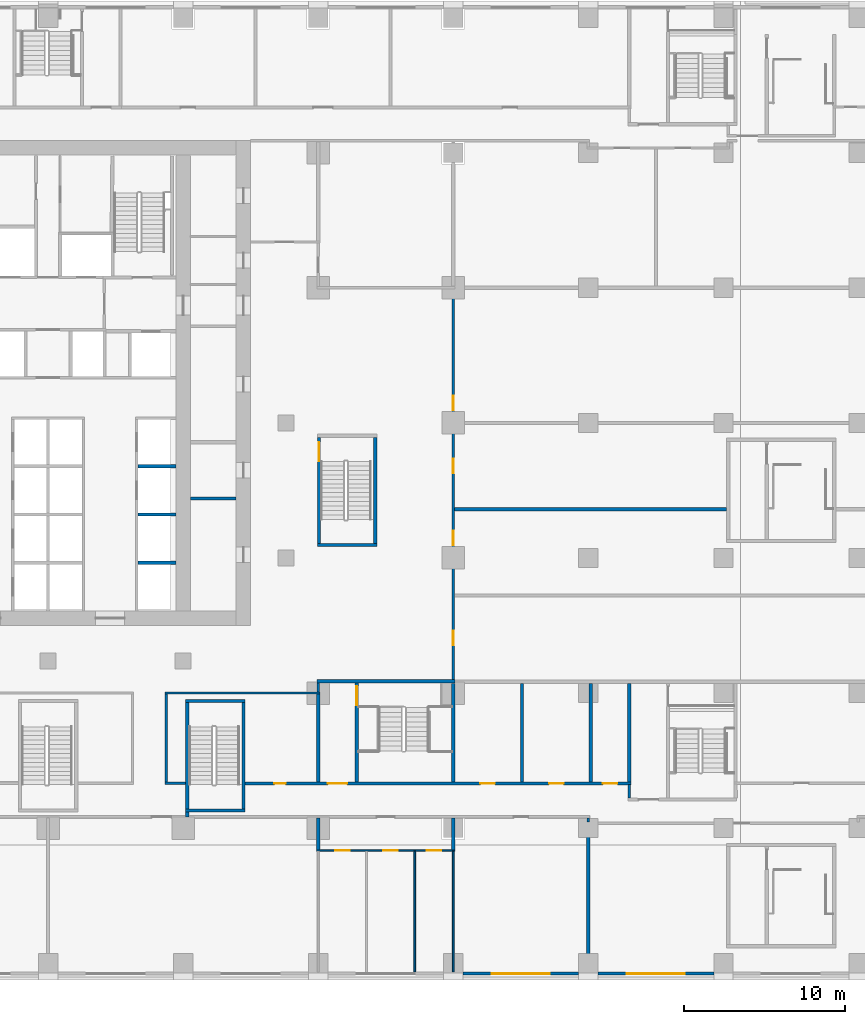
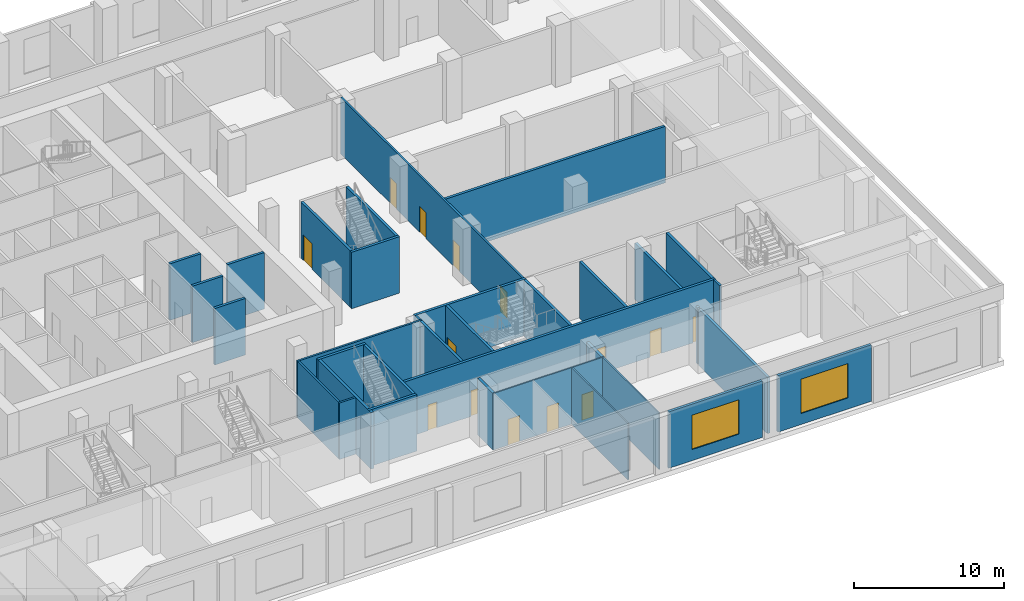
# One storey, part 6 of 23: 35 walls, 14 doors, 2 windows, 16 openings.
"""IFC4 building model written with IfcOpenShell, lengths in metres."""

from ifc_helpers import new_model, si_unit, direction, frame, frame_2d, origin, place, context, subcontext, project, spatial, rectangle, extrude, material, layer, layer_set, type_object, element, fill, save


model = new_model("IFC4")

# Units and contexts
model_context = context("Model", 3, precision=1e-05, world=origin(), true_north=direction((0.0, 1.0)))
body_context = subcontext(model_context, "Body", "Model", "MODEL_VIEW")
ifc_project = project(units=[si_unit("LENGTHUNIT", "METRE"), si_unit("AREAUNIT", "SQUARE_METRE"), si_unit("VOLUMEUNIT", "CUBIC_METRE"), si_unit("PLANEANGLEUNIT", "RADIAN"), si_unit("MASSUNIT", "GRAM", prefix="KILO")], contexts=[model_context])

# Site, building, storey
site_placement = place(None, origin())
site = spatial("IfcSite", under=ifc_project, at=site_placement, CompositionType="ELEMENT")
building_placement = place(site_placement, origin())
building = spatial("IfcBuilding", under=site, at=building_placement, Name="Vermilion Ogive Tower", CompositionType="ELEMENT")
storey_placement = place(building_placement, frame((0.0, 0.0, 20.0)))
storey = spatial("IfcBuildingStorey", under=building, at=storey_placement, Name="L03", CompositionType="ELEMENT", Elevation=20.0)

# Wall, openings, doors
ifc_material_1 = material(Name="Gypsum board partition on steel studs", Category="steel")
ifc_layer_1 = layer(ifc_material_1, 0.10009765625)
ifc_layer_set_1 = layer_set([ifc_layer_1], Name="Partition 100 bath")
wall_type_1 = type_object("IfcWallType", Name="Partition 100 bath", PredefinedType="PARTITIONING", material=ifc_layer_set_1)
wall_1_placement = place(storey_placement, frame((16.699951171875, -22.39990234375, 0.0), z_axis=(0.0, 0.0, 1.0), x_axis=(1.0, 0.0, 0.0)))
wall_1 = element("IfcWall", 1, at=wall_1_placement, inside=storey, type_object=wall_type_1, Name="L03-FS-W-W003", PredefinedType="PARTITIONING", context=body_context, shape_type="SweptSolid", body=[
    extrude(rectangle(XDim=8.60009765625, YDim=0.10009765625, at=frame_2d((4.300048828125, 0.0))), origin(), (0.0, 0.0, 1.0), 4.60009765625),
])
opening_1_placement = place(wall_1_placement, frame((1.150146484375, 0.0, 0.0)))
opening_1 = element("IfcOpeningElement", 2, at=opening_1_placement, cuts=wall_1, Name="Opening L03S041", PredefinedType="OPENING", context=body_context, shape_type="SweptSolid", body=[
    extrude(rectangle(XDim=0.89990234375, YDim=2.10009765625, at=frame_2d((0.449951171875, 1.050048828125))), frame((0.0, 0.06005859375, 0.0), z_axis=(0.0, -1.0, 0.0), x_axis=(1.0, 0.0, 0.0)), (0.0, 0.0, 1.0), 0.1201171875),
])
opening_2_placement = place(wall_1_placement, frame((4.150146484375, 0.0, 0.0)))
opening_2 = element("IfcOpeningElement", 3, at=opening_2_placement, cuts=wall_1, Name="Opening L03S042", PredefinedType="OPENING", context=body_context, shape_type="SweptSolid", body=[
    extrude(rectangle(XDim=0.89990234375, YDim=2.10009765625, at=frame_2d((0.449951171875, 1.050048828125))), frame((0.0, 0.06005859375, 0.0), z_axis=(0.0, -1.0, 0.0), x_axis=(1.0, 0.0, 0.0)), (0.0, 0.0, 1.0), 0.1201171875),
])
opening_3_placement = place(wall_1_placement, frame((6.85009765625, 0.0, 0.0)))
opening_3 = element("IfcOpeningElement", 4, at=opening_3_placement, cuts=wall_1, Name="Opening L03S043", PredefinedType="OPENING", context=body_context, shape_type="SweptSolid", body=[
    extrude(rectangle(XDim=0.89990234375, YDim=2.10009765625, at=frame_2d((0.449951171875, 1.050048828125))), frame((0.0, 0.06005859375, 0.0), z_axis=(0.0, -1.0, 0.0), x_axis=(1.0, 0.0, 0.0)), (0.0, 0.0, 1.0), 0.1201171875),
])
ifc_material_2 = material(Name="Timber door leaf", Category="wood")
door_type_1 = type_object("IfcDoorType", Name="Room door 900 x 2100 FD30", OperationType="SINGLE_SWING_LEFT", PredefinedType="DOOR", material=ifc_material_2)
door_1_placement = place(opening_1_placement, origin())
door_1 = element("IfcDoor", 5, at=door_1_placement, inside=storey, type_object=door_type_1, Name="L03-FS-D-D041", OperationType="SINGLE_SWING_RIGHT", OverallHeight=2.10009765625, OverallWidth=0.89990234375, PredefinedType="DOOR", context=body_context, shape_type="SweptSolid", body=[
    extrude(rectangle(XDim=0.89990234375, YDim=2.10009765625, at=frame_2d((0.449951171875, 1.050048828125))), frame((0.0, 0.02490234375, 0.0), z_axis=(0.0, -1.0, 0.0), x_axis=(1.0, 0.0, 0.0)), (0.0, 0.0, 1.0), 0.050048828125),
])
fill(opening_1, door_1)
door_2_placement = place(opening_2_placement, origin())
door_2 = element("IfcDoor", 6, at=door_2_placement, inside=storey, type_object=door_type_1, Name="L03-FS-D-D042", OperationType="SINGLE_SWING_RIGHT", OverallHeight=2.10009765625, OverallWidth=0.89990234375, PredefinedType="DOOR", context=body_context, shape_type="SweptSolid", body=[
    extrude(rectangle(XDim=0.89990234375, YDim=2.10009765625, at=frame_2d((0.449951171875, 1.050048828125))), frame((0.0, 0.02490234375, 0.0), z_axis=(0.0, -1.0, 0.0), x_axis=(1.0, 0.0, 0.0)), (0.0, 0.0, 1.0), 0.050048828125),
])
fill(opening_2, door_2)
door_3_placement = place(opening_3_placement, origin())
door_3 = element("IfcDoor", 7, at=door_3_placement, inside=storey, type_object=door_type_1, Name="L03-FS-D-D043", OperationType="SINGLE_SWING_RIGHT", OverallHeight=2.10009765625, OverallWidth=0.89990234375, PredefinedType="DOOR", context=body_context, shape_type="SweptSolid", body=[
    extrude(rectangle(XDim=0.89990234375, YDim=2.10009765625, at=frame_2d((0.449951171875, 1.050048828125))), frame((0.0, 0.02490234375, 0.0), z_axis=(0.0, -1.0, 0.0), x_axis=(1.0, 0.0, 0.0)), (0.0, 0.0, 1.0), 0.050048828125),
])
fill(opening_3, door_3)

# Walls
for number, where, z_axis, x_axis, name in (
    (8, (22.800048828125, -29.949951171875, 0.0), (0.0, 0.0, 1.0), (0.0, 1.0, 0.0), "L03-FS-W-W075"),
    (9, (25.199951171875, -29.949951171875, 0.0), (0.0, 0.0, 1.0), (0.0, 1.0, 0.0), "L03-FS-W-W076"),
):
    element("IfcWall", number, at=place(storey_placement, frame(where, z_axis=z_axis, x_axis=x_axis)), inside=storey, type_object=wall_type_1, Name=name, PredefinedType="PARTITIONING", context=body_context, shape_type="SweptSolid", body=[
        extrude(rectangle(XDim=7.5, YDim=0.10009765625, at=frame_2d((3.75, 0.0))), origin(), (0.0, 0.0, 1.0), 4.60009765625),
    ])
ifc_material_3 = material(Name="Gypsum board partition on steel studs", Category="steel")
ifc_layer_2 = layer(ifc_material_3, 0.14990234375)
ifc_layer_set_2 = layer_set([ifc_layer_2], Name="Partition 150 corridor")
wall_type_2 = type_object("IfcWallType", Name="Partition 150 corridor", PredefinedType="PARTITIONING", material=ifc_layer_set_2)
wall_2_placement = place(storey_placement, frame((7.27490234375, -18.199951171875, 0.0), z_axis=(0.0, 0.0, 1.0), x_axis=(1.0, 0.0, 0.0)))
element("IfcWall", 10, at=wall_2_placement, inside=storey, type_object=wall_type_2, Name="L03-FS-W-W013", PredefinedType="PARTITIONING", context=body_context, shape_type="SweptSolid", body=[
    extrude(rectangle(XDim=1.275146484375, YDim=0.14990234375, at=frame_2d((0.6376953125, 0.0))), origin(), (0.0, 0.0, 1.0), 4.60009765625),
])
wall_3_placement = place(storey_placement, frame((7.27490234375, -12.60009765625, 0.0), z_axis=(0.0, 0.0, 1.0), x_axis=(1.0, 0.0, 0.0)))
element("IfcWall", 11, at=wall_3_placement, inside=storey, type_object=wall_type_2, Name="L03-FS-W-W018", PredefinedType="PARTITIONING", context=body_context, shape_type="SweptSolid", body=[
    extrude(rectangle(XDim=9.625, YDim=0.14990234375, at=frame_2d((4.8125, 0.0))), origin(), (0.0, 0.0, 1.0), 4.60009765625),
])
wall_4_placement = place(storey_placement, frame((7.35009765625, -18.125, 0.0), z_axis=(0.0, 0.0, 1.0), x_axis=(0.0, 1.0, 0.0)))
element("IfcWall", 12, at=wall_4_placement, inside=storey, type_object=wall_type_2, Name="L03-FS-W-W064", PredefinedType="PARTITIONING", context=body_context, shape_type="SweptSolid", body=[
    extrude(rectangle(XDim=5.449951171875, YDim=0.14990234375, at=frame_2d((2.72509765625, 0.0))), origin(), (0.0, 0.0, 1.0), 4.60009765625),
])
wall_5_placement = place(storey_placement, frame((16.800048828125, -12.52490234375, 0.0), z_axis=(0.0, 0.0, 1.0), x_axis=(0.0, 1.0, 0.0)))
element("IfcWall", 13, at=wall_5_placement, inside=storey, type_object=wall_type_2, Name="L03-FS-W-W069", PredefinedType="PARTITIONING", context=body_context, shape_type="SweptSolid", body=[
    extrude(rectangle(XDim=0.5498046875, YDim=0.14990234375, at=frame_2d((0.27490234375, 0.0))), origin(), (0.0, 0.0, 1.0), 4.60009765625),
])

# Wall, openings, doors
wall_6_placement = place(storey_placement, frame((25.199951171875, -11.800048828125, 0.0), z_axis=(0.0, 0.0, 1.0), x_axis=(0.0, 1.0, 0.0)))
wall_6 = element("IfcWall", 14, at=wall_6_placement, inside=storey, type_object=wall_type_2, Name="L03-FS-W-W079", PredefinedType="PARTITIONING", context=body_context, shape_type="SweptSolid", body=[
    extrude(rectangle(XDim=24.300048828125, YDim=0.14990234375, at=frame_2d((12.14990234375, 0.0))), origin(), (0.0, 0.0, 1.0), 4.60009765625),
])
opening_4_placement = place(wall_6_placement, frame((2.18359375, 0.0, 0.0)))
opening_4 = element("IfcOpeningElement", 15, at=opening_4_placement, cuts=wall_6, Name="Opening L03S029", PredefinedType="OPENING", context=body_context, shape_type="SweptSolid", body=[
    extrude(rectangle(XDim=0.89990234375, YDim=2.10009765625, at=frame_2d((0.449951171875, 1.050048828125))), frame((0.0, 0.0849609375, 0.0), z_axis=(0.0, -1.0, 0.0), x_axis=(1.0, 0.0, 0.0)), (0.0, 0.0, 1.0), 0.169921875),
])
opening_5_placement = place(wall_6_placement, frame((8.400146484375, 0.0, 0.0)))
opening_5 = element("IfcOpeningElement", 16, at=opening_5_placement, cuts=wall_6, Name="Opening L03S030", PredefinedType="OPENING", context=body_context, shape_type="SweptSolid", body=[
    extrude(rectangle(XDim=0.89990234375, YDim=2.10009765625, at=frame_2d((0.449951171875, 1.050048828125))), frame((0.0, 0.0849609375, 0.0), z_axis=(0.0, -1.0, 0.0), x_axis=(1.0, 0.0, 0.0)), (0.0, 0.0, 1.0), 0.169921875),
])
opening_6_placement = place(wall_6_placement, frame((12.866455078125, 0.0, 0.0)))
opening_6 = element("IfcOpeningElement", 17, at=opening_6_placement, cuts=wall_6, Name="Opening L03S031", PredefinedType="OPENING", context=body_context, shape_type="SweptSolid", body=[
    extrude(rectangle(XDim=0.89990234375, YDim=2.10009765625, at=frame_2d((0.449951171875, 1.050048828125))), frame((0.0, 0.0849609375, 0.0), z_axis=(0.0, -1.0, 0.0), x_axis=(1.0, 0.0, 0.0)), (0.0, 0.0, 1.0), 0.169921875),
])
opening_7_placement = place(wall_6_placement, frame((16.800048828125, 0.0, 0.0)))
opening_7 = element("IfcOpeningElement", 18, at=opening_7_placement, cuts=wall_6, Name="Opening L03S032", PredefinedType="OPENING", context=body_context, shape_type="SweptSolid", body=[
    extrude(rectangle(XDim=0.89990234375, YDim=2.10009765625, at=frame_2d((0.449951171875, 1.050048828125))), frame((0.0, 0.0849609375, 0.0), z_axis=(0.0, -1.0, 0.0), x_axis=(1.0, 0.0, 0.0)), (0.0, 0.0, 1.0), 0.169921875),
])
door_4_placement = place(opening_4_placement, origin())
door_4 = element("IfcDoor", 19, at=door_4_placement, inside=storey, type_object=door_type_1, Name="L03-FS-D-D029", OperationType="SINGLE_SWING_LEFT", OverallHeight=2.10009765625, OverallWidth=0.89990234375, PredefinedType="DOOR", context=body_context, shape_type="SweptSolid", body=[
    extrude(rectangle(XDim=0.89990234375, YDim=2.10009765625, at=frame_2d((0.449951171875, 1.050048828125))), frame((0.0, 0.02490234375, 0.0), z_axis=(0.0, -1.0, 0.0), x_axis=(1.0, 0.0, 0.0)), (0.0, 0.0, 1.0), 0.050048828125),
])
fill(opening_4, door_4)
door_5_placement = place(opening_5_placement, origin())
door_5 = element("IfcDoor", 20, at=door_5_placement, inside=storey, type_object=door_type_1, Name="L03-FS-D-D030", OperationType="SINGLE_SWING_LEFT", OverallHeight=2.10009765625, OverallWidth=0.89990234375, PredefinedType="DOOR", context=body_context, shape_type="SweptSolid", body=[
    extrude(rectangle(XDim=0.89990234375, YDim=2.10009765625, at=frame_2d((0.449951171875, 1.050048828125))), frame((0.0, 0.02490234375, 0.0), z_axis=(0.0, -1.0, 0.0), x_axis=(1.0, 0.0, 0.0)), (0.0, 0.0, 1.0), 0.050048828125),
])
fill(opening_5, door_5)
door_6_placement = place(opening_6_placement, origin())
door_6 = element("IfcDoor", 21, at=door_6_placement, inside=storey, type_object=door_type_1, Name="L03-FS-D-D031", OperationType="SINGLE_SWING_RIGHT", OverallHeight=2.10009765625, OverallWidth=0.89990234375, PredefinedType="DOOR", context=body_context, shape_type="SweptSolid", body=[
    extrude(rectangle(XDim=0.89990234375, YDim=2.10009765625, at=frame_2d((0.449951171875, 1.050048828125))), frame((0.0, 0.02490234375, 0.0), z_axis=(0.0, -1.0, 0.0), x_axis=(1.0, 0.0, 0.0)), (0.0, 0.0, 1.0), 0.050048828125),
])
fill(opening_6, door_6)
door_7_placement = place(opening_7_placement, origin())
door_7 = element("IfcDoor", 22, at=door_7_placement, inside=storey, type_object=door_type_1, Name="L03-FS-D-D032", OperationType="SINGLE_SWING_LEFT", OverallHeight=2.10009765625, OverallWidth=0.89990234375, PredefinedType="DOOR", context=body_context, shape_type="SweptSolid", body=[
    extrude(rectangle(XDim=0.89990234375, YDim=2.10009765625, at=frame_2d((0.449951171875, 1.050048828125))), frame((0.0, 0.02490234375, 0.0), z_axis=(0.0, -1.0, 0.0), x_axis=(1.0, 0.0, 0.0)), (0.0, 0.0, 1.0), 0.050048828125),
])
fill(opening_7, door_7)

# Walls
wall_7_placement = place(storey_placement, frame((33.60009765625, -20.625, 0.0), z_axis=(0.0, 0.0, 1.0), x_axis=(0.0, 1.0, 0.0)))
element("IfcWall", 23, at=wall_7_placement, inside=storey, type_object=wall_type_2, Name="L03-FS-W-W083", PredefinedType="PARTITIONING", context=body_context, shape_type="SweptSolid", body=[
    extrude(rectangle(XDim=0.25, YDim=0.14990234375, at=frame_2d((0.125, 0.0))), origin(), (0.0, 0.0, 1.0), 4.60009765625),
])
wall_8_placement = place(storey_placement, frame((36.14990234375, -19.125, 0.0), z_axis=(0.0, 0.0, 1.0), x_axis=(0.0, 1.0, 0.0)))
element("IfcWall", 24, at=wall_8_placement, inside=storey, type_object=wall_type_2, Name="L03-FS-W-W086", PredefinedType="PARTITIONING", context=body_context, shape_type="SweptSolid", body=[
    extrude(rectangle(XDim=0.85009765625, YDim=0.14990234375, at=frame_2d((0.425048828125, 0.0))), origin(), (0.0, 0.0, 1.0), 4.60009765625),
])
ifc_material_4 = material(Name="Gypsum board partition on steel studs", Category="steel")
ifc_layer_3 = layer(ifc_material_4, 0.199951171875)
ifc_layer_set_3 = layer_set([ifc_layer_3], Name="Partition 200 party")
wall_type_3 = type_object("IfcWallType", Name="Partition 200 party", PredefinedType="PARTITIONING", material=ifc_layer_set_3)
wall_9_placement = place(storey_placement, frame((25.27490234375, -1.1669921875, 0.0), z_axis=(0.0, 0.0, 1.0), x_axis=(1.0, 0.0, 0.0)))
element("IfcWall", 25, at=wall_9_placement, inside=storey, type_object=wall_type_3, Name="L03-FS-W-W024", PredefinedType="PARTITIONING", context=body_context, shape_type="SweptSolid", body=[
    extrude(rectangle(XDim=16.925048828125, YDim=0.199951171875, at=frame_2d((8.46240234375, 0.0))), origin(), (0.0, 0.0, 1.0), 4.60009765625),
])
wall_10_placement = place(storey_placement, frame((16.800048828125, -22.35009765625, 0.0), z_axis=(0.0, 0.0, 1.0), x_axis=(0.0, 1.0, 0.0)))
element("IfcWall", 26, at=wall_10_placement, inside=storey, type_object=wall_type_3, Name="L03-FS-W-W067", PredefinedType="PARTITIONING", context=body_context, shape_type="SweptSolid", body=[
    extrude(rectangle(XDim=1.97509765625, YDim=0.199951171875, at=frame_2d((0.987548828125, 0.0))), origin(), (0.0, 0.0, 1.0), 4.60009765625),
])
wall_11_placement = place(storey_placement, frame((16.800048828125, -18.125, 0.0), z_axis=(0.0, 0.0, 1.0), x_axis=(0.0, 1.0, 0.0)))
element("IfcWall", 27, at=wall_11_placement, inside=storey, type_object=wall_type_3, Name="L03-FS-W-W068", PredefinedType="PARTITIONING", context=body_context, shape_type="SweptSolid", body=[
    extrude(rectangle(XDim=5.449951171875, YDim=0.199951171875, at=frame_2d((2.72509765625, 0.0))), origin(), (0.0, 0.0, 1.0), 4.60009765625),
])
wall_12_placement = place(storey_placement, frame((25.199951171875, -22.35009765625, 0.0), z_axis=(0.0, 0.0, 1.0), x_axis=(0.0, 1.0, 0.0)))
element("IfcWall", 28, at=wall_12_placement, inside=storey, type_object=wall_type_3, Name="L03-FS-W-W077", PredefinedType="PARTITIONING", context=body_context, shape_type="SweptSolid", body=[
    extrude(rectangle(XDim=1.97509765625, YDim=0.199951171875, at=frame_2d((0.987548828125, 0.0))), origin(), (0.0, 0.0, 1.0), 4.60009765625),
])
wall_13_placement = place(storey_placement, frame((29.47509765625, -18.125, 0.0), z_axis=(0.0, 0.0, 1.0), x_axis=(0.0, 1.0, 0.0)))
element("IfcWall", 29, at=wall_13_placement, inside=storey, type_object=wall_type_3, Name="L03-FS-W-W081", PredefinedType="PARTITIONING", context=body_context, shape_type="SweptSolid", body=[
    extrude(rectangle(XDim=6.125, YDim=0.199951171875, at=frame_2d((3.0625, 0.0))), origin(), (0.0, 0.0, 1.0), 4.60009765625),
])
wall_14_placement = place(storey_placement, frame((33.60009765625, -29.949951171875, 0.0), z_axis=(0.0, 0.0, 1.0), x_axis=(0.0, 1.0, 0.0)))
element("IfcWall", 30, at=wall_14_placement, inside=storey, type_object=wall_type_3, Name="L03-FS-W-W082", PredefinedType="PARTITIONING", context=body_context, shape_type="SweptSolid", body=[
    extrude(rectangle(XDim=9.175048828125, YDim=0.199951171875, at=frame_2d((4.58740234375, 0.0))), origin(), (0.0, 0.0, 1.0), 4.60009765625),
])
for number, where, z_axis, x_axis, name in (
    (31, (33.75, -18.125, 0.0), (0.0, 0.0, 1.0), (0.0, 1.0, 0.0), "L03-FS-W-W085"),
    (32, (36.14990234375, -18.125, 0.0), (0.0, 0.0, 1.0), (0.0, 1.0, 0.0), "L03-FS-W-W087"),
):
    element("IfcWall", number, at=place(storey_placement, frame(where, z_axis=z_axis, x_axis=x_axis)), inside=storey, type_object=wall_type_3, Name=name, PredefinedType="PARTITIONING", context=body_context, shape_type="SweptSolid", body=[
        extrude(rectangle(XDim=6.125, YDim=0.199951171875, at=frame_2d((3.0625, 0.0))), origin(), (0.0, 0.0, 1.0), 4.60009765625),
    ])
for number, where, z_axis, x_axis, name in (
    (33, (5.574951171875, -4.5, 0.0), (0.0, 0.0, 1.0), (1.0, 0.0, 0.0), "L03-CK-W-W003"),
    (34, (5.574951171875, -1.5, 0.0), (0.0, 0.0, 1.0), (1.0, 0.0, 0.0), "L03-CK-W-W006"),
    (35, (5.574951171875, 1.5, 0.0), (0.0, 0.0, 1.0), (1.0, 0.0, 0.0), "L03-CK-W-W009"),
):
    element("IfcWall", number, at=place(storey_placement, frame(where, z_axis=z_axis, x_axis=x_axis)), inside=storey, type_object=wall_type_3, Name=name, PredefinedType="PARTITIONING", context=body_context, shape_type="SweptSolid", body=[
        extrude(rectangle(XDim=2.3740234375, YDim=0.199951171875, at=frame_2d((1.18701171875, 0.0))), origin(), (0.0, 0.0, 1.0), 4.60009765625),
    ])
wall_15_placement = place(storey_placement, frame((8.85107421875, -0.5, 0.0), z_axis=(0.0, 0.0, 1.0), x_axis=(1.0, 0.0, 0.0)))
element("IfcWall", 36, at=wall_15_placement, inside=storey, type_object=wall_type_3, Name="L03-CKE-W-W001", PredefinedType="PARTITIONING", context=body_context, shape_type="SweptSolid", body=[
    extrude(rectangle(XDim=2.847900390625, YDim=0.199951171875, at=frame_2d((1.423828125, 0.0))), origin(), (0.0, 0.0, 1.0), 4.60009765625),
])

# Wall, openings, doors
ifc_material_5 = material(Name="Concrete B60", Category="concrete")
ifc_layer_4 = layer(ifc_material_5, 0.199951171875)
ifc_layer_set_4 = layer_set([ifc_layer_4], Name="Stair shaft wall 200 Concrete B60")
wall_type_4 = type_object("IfcWallType", Name="Stair shaft wall 200 Concrete B60", PredefinedType="SOLIDWALL", material=ifc_layer_set_4)
wall_16_placement = place(storey_placement, frame((12.25, -18.224853515625, 0.0), z_axis=(0.0, 0.0, 1.0), x_axis=(1.0, 0.0, 0.0)))
wall_16 = element("IfcWall", 37, at=wall_16_placement, inside=storey, type_object=wall_type_4, Name="L03-FS-W-W014", PredefinedType="SOLIDWALL", context=body_context, shape_type="SweptSolid", body=[
    extrude(rectangle(XDim=24.0, YDim=0.199951171875, at=frame_2d((12.0, 0.0))), origin(), (0.0, 0.0, 1.0), 4.60009765625),
])
opening_8_placement = place(wall_16_placement, frame((5.14990234375, 0.0, 0.0)))
opening_8 = element("IfcOpeningElement", 38, at=opening_8_placement, cuts=wall_16, Name="Opening L03S012", PredefinedType="OPENING", context=body_context, shape_type="SweptSolid", body=[
    extrude(rectangle(XDim=1.199951171875, YDim=2.10009765625, at=frame_2d((0.60009765625, 1.050048828125))), frame((0.0, 0.10986328125, 0.0), z_axis=(0.0, -1.0, 0.0), x_axis=(1.0, 0.0, 0.0)), (0.0, 0.0, 1.0), 0.219970703125),
])
opening_9_placement = place(wall_16_placement, frame((14.637451171875, 0.0, 0.0)))
opening_9 = element("IfcOpeningElement", 39, at=opening_9_placement, cuts=wall_16, Name="Opening L03S036", PredefinedType="OPENING", context=body_context, shape_type="SweptSolid", body=[
    extrude(rectangle(XDim=0.89990234375, YDim=2.10009765625, at=frame_2d((0.449951171875, 1.050048828125))), frame((0.0, 0.10986328125, 0.0), z_axis=(0.0, -1.0, 0.0), x_axis=(1.0, 0.0, 0.0)), (0.0, 0.0, 1.0), 0.219970703125),
])
opening_10_placement = place(wall_16_placement, frame((18.91259765625, 0.0, 0.0)))
opening_10 = element("IfcOpeningElement", 40, at=opening_10_placement, cuts=wall_16, Name="Opening L03S037", PredefinedType="OPENING", context=body_context, shape_type="SweptSolid", body=[
    extrude(rectangle(XDim=0.89990234375, YDim=2.10009765625, at=frame_2d((0.449951171875, 1.050048828125))), frame((0.0, 0.10986328125, 0.0), z_axis=(0.0, -1.0, 0.0), x_axis=(1.0, 0.0, 0.0)), (0.0, 0.0, 1.0), 0.219970703125),
])
opening_11_placement = place(wall_16_placement, frame((22.25, 0.0, 0.0)))
opening_11 = element("IfcOpeningElement", 41, at=opening_11_placement, cuts=wall_16, Name="Opening L03S038", PredefinedType="OPENING", context=body_context, shape_type="SweptSolid", body=[
    extrude(rectangle(XDim=0.89990234375, YDim=2.10009765625, at=frame_2d((0.449951171875, 1.050048828125))), frame((0.0, 0.10986328125, 0.0), z_axis=(0.0, -1.0, 0.0), x_axis=(1.0, 0.0, 0.0)), (0.0, 0.0, 1.0), 0.219970703125),
])
opening_12_placement = place(wall_16_placement, frame((1.824951171875, 0.0, 0.0)))
opening_12 = element("IfcOpeningElement", 42, at=opening_12_placement, cuts=wall_16, Name="Opening L03S054", PredefinedType="OPENING", context=body_context, shape_type="SweptSolid", body=[
    extrude(rectangle(XDim=0.699951171875, YDim=2.10009765625, at=frame_2d((0.35009765625, 1.050048828125))), frame((0.0, 0.10986328125, 0.0), z_axis=(0.0, -1.0, 0.0), x_axis=(1.0, 0.0, 0.0)), (0.0, 0.0, 1.0), 0.219970703125),
])
ifc_material_6 = material(Name="Timber door leaf", Category="wood")
door_type_2 = type_object("IfcDoorType", Name="Room door 700 x 2100 FD30", OperationType="SINGLE_SWING_LEFT", PredefinedType="DOOR", material=ifc_material_6)
door_8_placement = place(opening_12_placement, origin())
door_8 = element("IfcDoor", 43, at=door_8_placement, inside=storey, type_object=door_type_2, Name="L03-FS-D-D054", OperationType="SINGLE_SWING_LEFT", OverallHeight=2.10009765625, OverallWidth=0.699951171875, PredefinedType="DOOR", context=body_context, shape_type="SweptSolid", body=[
    extrude(rectangle(XDim=0.699951171875, YDim=2.10009765625, at=frame_2d((0.35009765625, 1.050048828125))), frame((0.0, 0.02490234375, 0.0), z_axis=(0.0, -1.0, 0.0), x_axis=(1.0, 0.0, 0.0)), (0.0, 0.0, 1.0), 0.050048828125),
])
fill(opening_12, door_8)
door_9_placement = place(opening_9_placement, origin())
door_9 = element("IfcDoor", 44, at=door_9_placement, inside=storey, type_object=door_type_1, Name="L03-FS-D-D036", OperationType="SINGLE_SWING_RIGHT", OverallHeight=2.10009765625, OverallWidth=0.89990234375, PredefinedType="DOOR", context=body_context, shape_type="SweptSolid", body=[
    extrude(rectangle(XDim=0.89990234375, YDim=2.10009765625, at=frame_2d((0.449951171875, 1.050048828125))), frame((0.0, 0.02490234375, 0.0), z_axis=(0.0, -1.0, 0.0), x_axis=(1.0, 0.0, 0.0)), (0.0, 0.0, 1.0), 0.050048828125),
])
fill(opening_9, door_9)
door_10_placement = place(opening_10_placement, origin())
door_10 = element("IfcDoor", 45, at=door_10_placement, inside=storey, type_object=door_type_1, Name="L03-FS-D-D037", OperationType="SINGLE_SWING_LEFT", OverallHeight=2.10009765625, OverallWidth=0.89990234375, PredefinedType="DOOR", context=body_context, shape_type="SweptSolid", body=[
    extrude(rectangle(XDim=0.89990234375, YDim=2.10009765625, at=frame_2d((0.449951171875, 1.050048828125))), frame((0.0, 0.02490234375, 0.0), z_axis=(0.0, -1.0, 0.0), x_axis=(1.0, 0.0, 0.0)), (0.0, 0.0, 1.0), 0.050048828125),
])
fill(opening_10, door_10)
door_11_placement = place(opening_11_placement, origin())
door_11 = element("IfcDoor", 46, at=door_11_placement, inside=storey, type_object=door_type_1, Name="L03-FS-D-D038", OperationType="SINGLE_SWING_LEFT", OverallHeight=2.10009765625, OverallWidth=0.89990234375, PredefinedType="DOOR", context=body_context, shape_type="SweptSolid", body=[
    extrude(rectangle(XDim=0.89990234375, YDim=2.10009765625, at=frame_2d((0.449951171875, 1.050048828125))), frame((0.0, 0.02490234375, 0.0), z_axis=(0.0, -1.0, 0.0), x_axis=(1.0, 0.0, 0.0)), (0.0, 0.0, 1.0), 0.050048828125),
])
fill(opening_11, door_11)
ifc_material_7 = material(Name="Timber door leaf", Category="wood")
door_type_3 = type_object("IfcDoorType", Name="Stair door 1200 x 2100 FD60S", OperationType="SINGLE_SWING_LEFT", PredefinedType="DOOR", material=ifc_material_7)
door_12_placement = place(opening_8_placement, origin())
door_12 = element("IfcDoor", 47, at=door_12_placement, inside=storey, type_object=door_type_3, Name="L03-FS-D-D012", OperationType="SINGLE_SWING_LEFT", OverallHeight=2.10009765625, OverallWidth=1.199951171875, PredefinedType="DOOR", context=body_context, shape_type="SweptSolid", body=[
    extrude(rectangle(XDim=1.199951171875, YDim=2.10009765625, at=frame_2d((0.60009765625, 1.050048828125))), frame((0.0, 0.02490234375, 0.0), z_axis=(0.0, -1.0, 0.0), x_axis=(1.0, 0.0, 0.0)), (0.0, 0.0, 1.0), 0.050048828125),
])
fill(opening_8, door_12)

# Wall
wall_17_placement = place(storey_placement, frame((16.72509765625, -11.875, 0.0), z_axis=(0.0, 0.0, 1.0), x_axis=(1.0, 0.0, 0.0)))
element("IfcWall", 48, at=wall_17_placement, inside=storey, type_object=wall_type_4, Name="L03-FS-W-W020", PredefinedType="SOLIDWALL", context=body_context, shape_type="SweptSolid", body=[
    extrude(rectangle(XDim=8.574951171875, YDim=0.199951171875, at=frame_2d((4.28759765625, 0.0))), origin(), (0.0, 0.0, 1.0), 4.60009765625),
])

# Wall, opening, door
wall_18_placement = place(storey_placement, frame((19.199951171875, -18.125, 0.0), z_axis=(0.0, 0.0, 1.0), x_axis=(0.0, 1.0, 0.0)))
wall_18 = element("IfcWall", 49, at=wall_18_placement, inside=storey, type_object=wall_type_4, Name="L03-FS-W-W072", PredefinedType="SOLIDWALL", context=body_context, shape_type="SweptSolid", body=[
    extrude(rectangle(XDim=6.14990234375, YDim=0.199951171875, at=frame_2d((3.074951171875, 0.0))), origin(), (0.0, 0.0, 1.0), 4.60009765625),
])
opening_13_placement = place(wall_18_placement, frame((4.75, 0.0, 0.0)))
opening_13 = element("IfcOpeningElement", 50, at=opening_13_placement, cuts=wall_18, Name="Opening L03S003", PredefinedType="OPENING", context=body_context, shape_type="SweptSolid", body=[
    extrude(rectangle(XDim=1.199951171875, YDim=2.10009765625, at=frame_2d((0.60009765625, 1.050048828125))), frame((0.0, 0.10986328125, 0.0), z_axis=(0.0, -1.0, 0.0), x_axis=(1.0, 0.0, 0.0)), (0.0, 0.0, 1.0), 0.219970703125),
])
door_13_placement = place(opening_13_placement, origin())
door_13 = element("IfcDoor", 51, at=door_13_placement, inside=storey, type_object=door_type_3, Name="L03-FS-D-D003", OperationType="DOUBLE_DOOR_SINGLE_SWING", OverallHeight=2.10009765625, OverallWidth=1.199951171875, PredefinedType="DOOR", context=body_context, shape_type="SweptSolid", body=[
    extrude(rectangle(XDim=1.199951171875, YDim=2.10009765625, at=frame_2d((0.60009765625, 1.050048828125))), frame((0.0, 0.02490234375, 0.0), z_axis=(0.0, -1.0, 0.0), x_axis=(1.0, 0.0, 0.0)), (0.0, 0.0, 1.0), 0.050048828125),
])
fill(opening_13, door_13)

# Walls
wall_19_placement = place(storey_placement, frame((25.199951171875, -18.125, 0.0), z_axis=(0.0, 0.0, 1.0), x_axis=(0.0, 1.0, 0.0)))
element("IfcWall", 52, at=wall_19_placement, inside=storey, type_object=wall_type_4, Name="L03-FS-W-W078", PredefinedType="SOLIDWALL", context=body_context, shape_type="SweptSolid", body=[
    extrude(rectangle(XDim=6.125, YDim=0.199951171875, at=frame_2d((3.0625, 0.0))), origin(), (0.0, 0.0, 1.0), 4.60009765625),
])
for number, where, z_axis, x_axis, name in (
    (53, (8.550048828125, -19.89990234375, 0.0), (0.0, 0.0, 1.0), (1.0, 0.0, 0.0), "L03-SW-ST5-S1"),
    (54, (8.550048828125, -13.10009765625, 0.0), (0.0, 0.0, 1.0), (1.0, 0.0, 0.0), "L03-SW-ST5-N1"),
):
    element("IfcWall", number, at=place(storey_placement, frame(where, z_axis=z_axis, x_axis=x_axis)), inside=storey, type_object=wall_type_4, Name=name, PredefinedType="SOLIDWALL", context=body_context, shape_type="SweptSolid", body=[
        extrude(rectangle(XDim=3.699951171875, YDim=0.199951171875, at=frame_2d((1.85009765625, 0.0))), origin(), (0.0, 0.0, 1.0), 4.60009765625),
    ])
wall_20_placement = place(storey_placement, frame((8.64990234375, -20.300048828125, 0.0), z_axis=(0.0, 0.0, 1.0), x_axis=(0.0, 1.0, 0.0)))
element("IfcWall", 55, at=wall_20_placement, inside=storey, type_object=wall_type_4, Name="L03-SW-ST5-W1", PredefinedType="SOLIDWALL", context=body_context, shape_type="SweptSolid", body=[
    extrude(rectangle(XDim=7.10009765625, YDim=0.199951171875, at=frame_2d((3.550048828125, 0.0))), origin(), (0.0, 0.0, 1.0), 4.60009765625),
])
wall_21_placement = place(storey_placement, frame((12.14990234375, -19.800048828125, 0.0), z_axis=(0.0, 0.0, 1.0), x_axis=(0.0, 1.0, 0.0)))
element("IfcWall", 56, at=wall_21_placement, inside=storey, type_object=wall_type_4, Name="L03-SW-ST5-E1", PredefinedType="SOLIDWALL", context=body_context, shape_type="SweptSolid", body=[
    extrude(rectangle(XDim=6.60009765625, YDim=0.199951171875, at=frame_2d((3.300048828125, 0.0))), origin(), (0.0, 0.0, 1.0), 4.60009765625),
])
wall_22_placement = place(storey_placement, frame((16.75, -3.39990234375, 0.0), z_axis=(0.0, 0.0, 1.0), x_axis=(1.0, 0.0, 0.0)))
element("IfcWall", 57, at=wall_22_placement, inside=storey, type_object=wall_type_4, Name="L03-SW-ST8-S1", PredefinedType="SOLIDWALL", context=body_context, shape_type="SweptSolid", body=[
    extrude(rectangle(XDim=3.699951171875, YDim=0.199951171875, at=frame_2d((1.85009765625, 0.0))), origin(), (0.0, 0.0, 1.0), 4.60009765625),
])

# Wall, opening, door
wall_23_placement = place(storey_placement, frame((16.85009765625, -3.300048828125, 0.0), z_axis=(0.0, 0.0, 1.0), x_axis=(0.0, 1.0, 0.0)))
wall_23 = element("IfcWall", 58, at=wall_23_placement, inside=storey, type_object=wall_type_4, Name="L03-SW-ST8-W1", PredefinedType="SOLIDWALL", context=body_context, shape_type="SweptSolid", body=[
    extrude(rectangle(XDim=6.60009765625, YDim=0.199951171875, at=frame_2d((3.300048828125, 0.0))), origin(), (0.0, 0.0, 1.0), 4.60009765625),
])
opening_14_placement = place(wall_23_placement, frame((5.10009765625, 0.0, 0.0)))
opening_14 = element("IfcOpeningElement", 59, at=opening_14_placement, cuts=wall_23, Name="Opening DBF003", PredefinedType="OPENING", context=body_context, shape_type="SweptSolid", body=[
    extrude(rectangle(XDim=1.199951171875, YDim=2.10009765625, at=frame_2d((0.60009765625, 1.050048828125))), frame((0.0, 0.10986328125, 0.0), z_axis=(0.0, -1.0, 0.0), x_axis=(1.0, 0.0, 0.0)), (0.0, 0.0, 1.0), 0.219970703125),
])
door_14_placement = place(opening_14_placement, origin())
door_14 = element("IfcDoor", 60, at=door_14_placement, inside=storey, type_object=door_type_3, Name="L03-SD-ST8", OperationType="SINGLE_SWING_LEFT", OverallHeight=2.10009765625, OverallWidth=1.199951171875, PredefinedType="DOOR", context=body_context, shape_type="SweptSolid", body=[
    extrude(rectangle(XDim=1.199951171875, YDim=2.10009765625, at=frame_2d((0.60009765625, 1.050048828125))), frame((0.0, 0.02490234375, 0.0), z_axis=(0.0, -1.0, 0.0), x_axis=(1.0, 0.0, 0.0)), (0.0, 0.0, 1.0), 0.050048828125),
])
fill(opening_14, door_14)

# Wall
wall_24_placement = place(storey_placement, frame((20.35009765625, -3.300048828125, 0.0), z_axis=(0.0, 0.0, 1.0), x_axis=(0.0, 1.0, 0.0)))
element("IfcWall", 61, at=wall_24_placement, inside=storey, type_object=wall_type_4, Name="L03-SW-ST8-E1", PredefinedType="SOLIDWALL", context=body_context, shape_type="SweptSolid", body=[
    extrude(rectangle(XDim=6.60009765625, YDim=0.199951171875, at=frame_2d((3.300048828125, 0.0))), origin(), (0.0, 0.0, 1.0), 4.60009765625),
])

# Wall, opening, window
ifc_material_8 = material(Name="Aluminium window wall framing", Category="aluminium")
ifc_layer_5 = layer(ifc_material_8, 0.199951171875)
ifc_layer_set_5 = layer_set([ifc_layer_5], Name="Window wall")
wall_type_5 = type_object("IfcWallType", Name="Window wall", PredefinedType="STANDARD", material=ifc_layer_set_5)
wall_25_placement = place(storey_placement, frame((25.800048828125, -30.050048828125, 0.0), z_axis=(0.0, 0.0, 1.0), x_axis=(1.0, 0.0, 0.0)))
wall_25 = element("IfcWall", 62, at=wall_25_placement, inside=storey, type_object=wall_type_5, Name="Window wall S7", PredefinedType="STANDARD", context=body_context, shape_type="SweptSolid", body=[
    extrude(rectangle(XDim=7.199951171875, YDim=0.199951171875, at=frame_2d((3.60009765625, 0.0))), origin(), (0.0, 0.0, 1.0), 4.60009765625),
])
opening_15_placement = place(wall_25_placement, frame((1.800048828125, 0.0, 0.89990234375)))
opening_15 = element("IfcOpeningElement", 63, at=opening_15_placement, cuts=wall_25, Name="Opening P-S7", PredefinedType="OPENING", context=body_context, shape_type="SweptSolid", body=[
    extrude(rectangle(XDim=3.60009765625, YDim=2.800048828125, at=frame_2d((1.800048828125, 1.39990234375))), frame((0.0, 0.10986328125, 0.0), z_axis=(0.0, -1.0, 0.0), x_axis=(1.0, 0.0, 0.0)), (0.0, 0.0, 1.0), 0.219970703125),
])
ifc_material_9 = material(Name="Aluminium framed double glazing", Category="aluminium")
window_type = type_object("IfcWindowType", Name="Podium window P 3600x2800 sill 900", PartitioningType="SINGLE_PANEL", PredefinedType="WINDOW", material=ifc_material_9)
window_1_placement = place(opening_15_placement, origin())
window_1 = element("IfcWindow", 64, at=window_1_placement, inside=storey, type_object=window_type, Name="Window S7", OverallHeight=2.800048828125, OverallWidth=3.60009765625, PartitioningType="SINGLE_PANEL", PredefinedType="WINDOW", context=body_context, shape_type="SweptSolid", body=[
    extrude(rectangle(XDim=3.60009765625, YDim=2.800048828125, at=frame_2d((1.800048828125, 1.39990234375))), frame((0.0, 0.030029296875, 0.0), z_axis=(0.0, -1.0, 0.0), x_axis=(1.0, 0.0, 0.0)), (0.0, 0.0, 1.0), 0.06005859375),
])
fill(opening_15, window_1)

wall_26_placement = place(storey_placement, frame((34.199951171875, -30.050048828125, 0.0), z_axis=(0.0, 0.0, 1.0), x_axis=(1.0, 0.0, 0.0)))
wall_26 = element("IfcWall", 65, at=wall_26_placement, inside=storey, type_object=wall_type_5, Name="Window wall S8", PredefinedType="STANDARD", context=body_context, shape_type="SweptSolid", body=[
    extrude(rectangle(XDim=7.199951171875, YDim=0.199951171875, at=frame_2d((3.60009765625, 0.0))), origin(), (0.0, 0.0, 1.0), 4.60009765625),
])
opening_16_placement = place(wall_26_placement, frame((1.800048828125, 0.0, 0.89990234375)))
opening_16 = element("IfcOpeningElement", 66, at=opening_16_placement, cuts=wall_26, Name="Opening P-S8", PredefinedType="OPENING", context=body_context, shape_type="SweptSolid", body=[
    extrude(rectangle(XDim=3.60009765625, YDim=2.800048828125, at=frame_2d((1.800048828125, 1.39990234375))), frame((0.0, 0.10986328125, 0.0), z_axis=(0.0, -1.0, 0.0), x_axis=(1.0, 0.0, 0.0)), (0.0, 0.0, 1.0), 0.219970703125),
])
window_2_placement = place(opening_16_placement, origin())
window_2 = element("IfcWindow", 67, at=window_2_placement, inside=storey, type_object=window_type, Name="Window S8", OverallHeight=2.800048828125, OverallWidth=3.60009765625, PartitioningType="SINGLE_PANEL", PredefinedType="WINDOW", context=body_context, shape_type="SweptSolid", body=[
    extrude(rectangle(XDim=3.60009765625, YDim=2.800048828125, at=frame_2d((1.800048828125, 1.39990234375))), frame((0.0, 0.030029296875, 0.0), z_axis=(0.0, -1.0, 0.0), x_axis=(1.0, 0.0, 0.0)), (0.0, 0.0, 1.0), 0.06005859375),
])
fill(opening_16, window_2)

save(model, "model.ifc")
